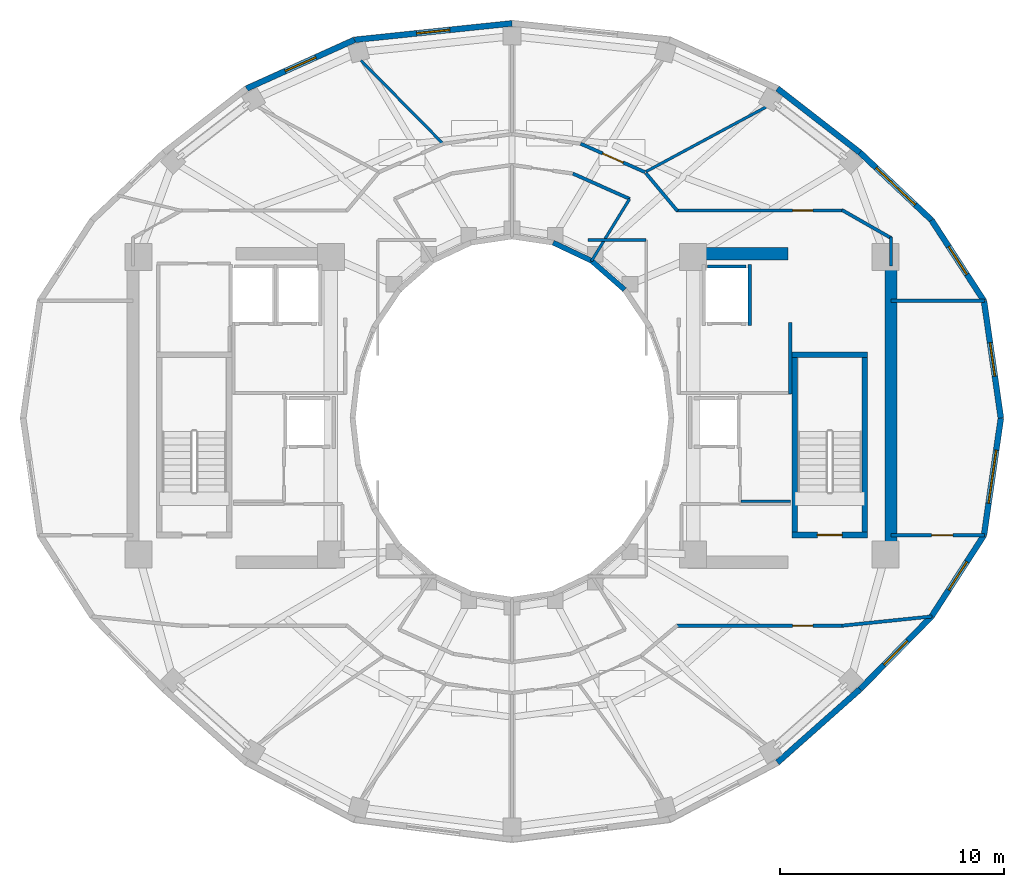
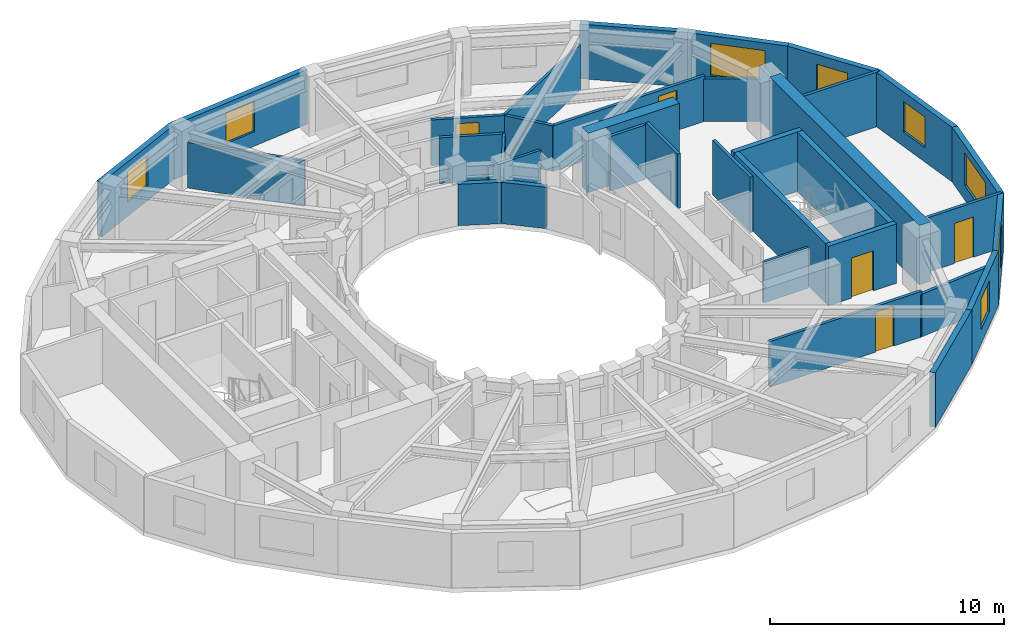
# One storey, part 6 of 9: 36 walls, 8 windows, 5 doors, 13 openings.
"""IFC4 building model written with IfcOpenShell, lengths in metres."""

import ifcopenshell
import ifcopenshell.guid

model = None  # the IFC model being written
_history = None  # IfcOwnerHistory: only IFC2X3 demands one
_inside = {}  # id of a spatial element -> (the spatial element, [elements in it])
_under = {}  # id of a project, library or spatial element -> (it, [spatial elements below it])
_declared = {}  # id of a project -> (the project, [libraries it declares])
_typed = {}  # id of a type object -> (the type object, [elements of that type])
_made_of = {}  # id of a material, layer set ... -> (it, [elements and type objects made of it])


def new_model(schema):
    """Start an empty IFC model of exactly this schema.

    Asked for "IFC4X3", IfcOpenShell would pick the latest addendum, in which some entities
    have other attributes; the version numbers below select the first issue.
    IFC2X3 requires an IfcOwnerHistory on every rooted entity: one is made here for all.
    """
    global model, _history
    if schema == "IFC4X3":
        model = ifcopenshell.file(schema_version=(4, 3, 0, 0))
    else:
        model = ifcopenshell.file(schema=schema)
    _inside.clear()
    _under.clear()
    _declared.clear()
    _typed.clear()
    _made_of.clear()
    _history = None
    if model.schema == "IFC2X3":
        org = make("IfcOrganization", Name="unknown")
        user = make(
            "IfcPersonAndOrganization",
            ThePerson=make("IfcPerson", FamilyName="unknown"),
            TheOrganization=org,
        )
        app = make(
            "IfcApplication",
            ApplicationDeveloper=org,
            Version="unknown",
            ApplicationFullName="unknown",
            ApplicationIdentifier="unknown",
        )
        _history = make(
            "IfcOwnerHistory",
            OwningUser=user,
            OwningApplication=app,
            ChangeAction="ADDED",
            CreationDate=0,
        )
    return model


def make(cls, **values):
    """One entity of the class cls with the attributes given. An attribute that is None is left unset."""
    return model.create_entity(
        cls, **{name: value for name, value in values.items() if value is not None}
    )


def rooted(cls, **values):
    """An entity with a GlobalId (a new one), such as an element, a storey or a relation."""
    return make(cls, GlobalId=ifcopenshell.guid.new(), OwnerHistory=_history, **values)


def si_unit(unit_type, name, prefix=None):
    """IfcSIUnit, for example si_unit("LENGTHUNIT", "METRE", prefix="MILLI")."""
    return make("IfcSIUnit", UnitType=unit_type, Prefix=prefix, Name=name)


def assignment(units):
    """IfcUnitAssignment: the units of a project."""
    return None if units is None else make("IfcUnitAssignment", Units=units)


def point(xyz):
    """IfcCartesianPoint."""
    return None if xyz is None else make("IfcCartesianPoint", Coordinates=xyz)


def direction(xyz):
    """IfcDirection."""
    return None if xyz is None else make("IfcDirection", DirectionRatios=xyz)


def frame(location, z_axis=None, x_axis=None):
    """IfcAxis2Placement3D, a coordinate frame: its origin and axes. An axis left out is left unset."""
    return make(
        "IfcAxis2Placement3D",
        Location=point(location),
        Axis=direction(z_axis),
        RefDirection=direction(x_axis),
    )


def frame_2d(location, x_axis=None):
    """IfcAxis2Placement2D, a coordinate frame in the plane: its origin and x axis."""
    return make(
        "IfcAxis2Placement2D", Location=point(location), RefDirection=direction(x_axis)
    )


def origin():
    """The frame at (0, 0, 0) with its axes left unset."""
    return frame((0.0, 0.0, 0.0))


def place(relative_to, where):
    """IfcLocalPlacement: puts the frame where relative to a parent placement (None: the world)."""
    return make(
        "IfcLocalPlacement", PlacementRelTo=relative_to, RelativePlacement=where
    )


def context(
    kind, dimensions, precision=None, world=None, true_north=None, identifier=None
):
    """IfcGeometricRepresentationContext, for example the 3D "Model" context."""
    return make(
        "IfcGeometricRepresentationContext",
        ContextIdentifier=identifier,
        ContextType=kind,
        CoordinateSpaceDimension=dimensions,
        Precision=precision,
        WorldCoordinateSystem=world,
        TrueNorth=true_north,
    )


def subcontext(parent, identifier, kind, view, scale=None):
    """IfcGeometricRepresentationSubContext, for example "Body" below "Model"."""
    return make(
        "IfcGeometricRepresentationSubContext",
        ContextIdentifier=identifier,
        ContextType=kind,
        ParentContext=parent,
        TargetScale=scale,
        TargetView=view,
    )


def project(units=None, contexts=None):
    """IfcProject with its units and contexts."""
    return rooted(
        "IfcProject",
        Name="project",
        RepresentationContexts=contexts,
        UnitsInContext=assignment(units),
    )


def spatial(cls, under=None, at=None, **own):
    """A site, building, storey or space (cls), placed at a placement, below another one or the project."""
    s = rooted(cls, ObjectPlacement=at, **own)
    if under is not None:
        _under.setdefault(under.id(), (under, []))[1].append(s)
    return s


def profile(cls, at=None, kind="AREA", **sizes):
    """A parametric profile (cls). Its sizes go by their IFC names, for example OverallWidth=200.0."""
    return make(cls, ProfileType=kind, Position=at, **sizes)


def rectangle(**sizes):
    """IfcRectangleProfileDef."""
    return profile("IfcRectangleProfileDef", **sizes)


def extrude(swept, where, along, depth):
    """IfcExtrudedAreaSolid: the profile swept, set in the frame where, extruded along a direction by depth."""
    return make(
        "IfcExtrudedAreaSolid",
        SweptArea=swept,
        Position=where,
        ExtrudedDirection=direction(along),
        Depth=depth,
    )


def shape(context_of_items, identifier, shape_type, items):
    """IfcShapeRepresentation: the items that make up one representation, for example the "Body"."""
    return make(
        "IfcShapeRepresentation",
        ContextOfItems=context_of_items,
        RepresentationIdentifier=identifier,
        RepresentationType=shape_type,
        Items=items,
    )


def material(Name=None, Category=None):
    """IfcMaterial."""
    return make("IfcMaterial", Name=Name, Category=Category)


def layer(
    of_material, thickness, ventilated=None, Name=None, Category=None, Priority=None
):
    """IfcMaterialLayer: one layer of a wall or slab, of a material (None: an air gap)."""
    return make(
        "IfcMaterialLayer",
        Material=of_material,
        LayerThickness=thickness,
        IsVentilated=ventilated,
        Name=Name,
        Category=Category,
        Priority=Priority,
    )


def layer_set(layers, Name=None):
    """IfcMaterialLayerSet."""
    return make("IfcMaterialLayerSet", MaterialLayers=layers, LayerSetName=Name)


def made_of(thing, what):
    """Note that an element or type object is made of a material, layer set ...; save() writes the relation."""
    if what is not None:
        _made_of.setdefault(what.id(), (what, []))[1].append(thing)
    return thing


def type_object(cls, material=None, **own):
    """A type object (cls), such as IfcWallType, which elements share."""
    return made_of(rooted(cls, **own), material)


def element(
    cls,
    number,
    at=None,
    inside=None,
    cuts=None,
    type_object=None,
    material=None,
    context=None,
    identifier="Body",
    shape_type=None,
    held_by="IfcProductDefinitionShape",
    body=None,
    shapes=None,
    **own,
):
    """One element of the class cls, such as IfcWall. Its Tag is "e" and its number.

    at: its placement. inside: the storey or other place that contains it. cuts: it is an
    opening in that element (IfcRelVoidsElement). A single representation is given by context,
    identifier, shape_type and body (its items); several are given by shapes. held_by: the class
    of the entity that holds the representations. save() writes the other relations.
    """
    e = rooted(cls, Tag="e%d" % number, ObjectPlacement=at, **own)
    if body is not None:
        shapes = [shape(context, identifier, shape_type, body)]
    if shapes is not None:
        e.Representation = make(held_by, Representations=shapes)
    if inside is not None:
        _inside.setdefault(inside.id(), (inside, []))[1].append(e)
    if cuts is not None:
        rooted(
            "IfcRelVoidsElement", RelatingBuildingElement=cuts, RelatedOpeningElement=e
        )
    if type_object is not None:
        _typed.setdefault(type_object.id(), (type_object, []))[1].append(e)
    return made_of(e, material)


def fill(opening, filler):
    """IfcRelFillsElement: the door or window that sits in an opening."""
    return rooted(
        "IfcRelFillsElement",
        RelatingOpeningElement=opening,
        RelatedBuildingElement=filler,
    )


def aggregate(whole, parts):
    """IfcRelAggregates: a whole, such as a stair, and the parts it consists of."""
    return rooted("IfcRelAggregates", RelatingObject=whole, RelatedObjects=parts)


def save(model, path):
    """Write the relations noted so far, then the file.

    IfcRelAggregates (storeys below a building ...), IfcRelContainedInSpatialStructure (elements
    in a storey), IfcRelDefinesByType, IfcRelAssociatesMaterial and IfcRelDeclares: one each for
    every whole, place, type object, material and project.
    """
    for whole, parts in _under.values():
        aggregate(whole, parts)
    for where, things in _inside.values():
        rooted(
            "IfcRelContainedInSpatialStructure",
            RelatedElements=things,
            RelatingStructure=where,
        )
    for kind, things in _typed.values():
        rooted("IfcRelDefinesByType", RelatedObjects=things, RelatingType=kind)
    for what, things in _made_of.values():
        rooted("IfcRelAssociatesMaterial", RelatedObjects=things, RelatingMaterial=what)
    for by, libraries in _declared.values():
        rooted("IfcRelDeclares", RelatingContext=by, RelatedDefinitions=libraries)
    model.write(path)


model = new_model("IFC4")

# Units and contexts
model_context = context("Model", 3, precision=1e-05, world=origin(), true_north=direction((0.0, 1.0)))
body_context = subcontext(model_context, "Body", "Model", "MODEL_VIEW")
ifc_project = project(units=[si_unit("LENGTHUNIT", "METRE"), si_unit("AREAUNIT", "SQUARE_METRE"), si_unit("VOLUMEUNIT", "CUBIC_METRE"), si_unit("PLANEANGLEUNIT", "RADIAN"), si_unit("MASSUNIT", "GRAM", prefix="KILO")], contexts=[model_context])

# Site, building, storey
site_placement = place(None, origin())
site = spatial("IfcSite", under=ifc_project, at=site_placement, CompositionType="ELEMENT")
building_placement = place(site_placement, origin())
building = spatial("IfcBuilding", under=site, at=building_placement, Name="Solvane Sanctuary Tower", CompositionType="ELEMENT")
storey_placement = place(building_placement, frame((0.0, 0.0, 229.5)))
storey = spatial("IfcBuildingStorey", under=building, at=storey_placement, Name="L70", CompositionType="ELEMENT", Elevation=229.5)

# Walls
ifc_material_1 = material(Name="Concrete C50/60", Category="concrete")
ifc_layer_1 = layer(ifc_material_1, 0.550048828125, Name="Concrete C50/60")
ifc_layer_set_1 = layer_set([ifc_layer_1], Name="Concrete C50/60")
wall_type_1 = type_object("IfcWallType", Name="Wall W-CORE-550", PredefinedType="SHEAR", material=ifc_layer_set_1)
wall_1_placement = place(storey_placement, frame((48.949951171875, 17.050048828125, 0.0), z_axis=(0.0, 0.0, 1.0), x_axis=(0.0, 1.0, 0.0)))
element("IfcWall", 1, at=wall_1_placement, inside=storey, type_object=wall_type_1, Name="L70 Core Shear Wall EC-E", PredefinedType="SHEAR", context=body_context, shape_type="SweptSolid", body=[
    extrude(rectangle(XDim=12.800048828125, YDim=0.550048828125, at=frame_2d((6.39990234375, 0.0))), origin(), (0.0, 0.0, 1.0), 3.10009765625),
])
wall_2_placement = place(storey_placement, frame((39.85009765625, 30.35009765625, 0.0), z_axis=(0.0, 0.0, 1.0), x_axis=(1.0, 0.0, 0.0)))
element("IfcWall", 2, at=wall_2_placement, inside=storey, type_object=wall_type_1, Name="L70 Core Shear Wall EC-N", PredefinedType="SHEAR", context=body_context, shape_type="SweptSolid", body=[
    extrude(rectangle(XDim=4.5, YDim=0.550048828125, at=frame_2d((2.25, 0.0))), origin(), (0.0, 0.0, 1.0), 3.10009765625),
])
ifc_material_2 = material(Name="Acoustic Gypsum Partition Board")
ifc_layer_2 = layer(ifc_material_2, 0.14990234375, Name="Acoustic Gypsum Partition Board")
ifc_layer_set_2 = layer_set([ifc_layer_2], Name="Acoustic Gypsum Partition Board")
wall_type_2 = type_object("IfcWallType", Name="Wall W-CORR-150", PredefinedType="PARTITIONING", material=ifc_layer_set_2)
wall_3_placement = place(storey_placement, frame((44.449951171875, 24.080078125, 0.0), z_axis=(0.0, 0.0, 1.0), x_axis=(0.0, 1.0, 0.0)))
element("IfcWall", 3, at=wall_3_placement, inside=storey, type_object=wall_type_2, Name="L70 East Firefighting Lobby East Wall", PredefinedType="PARTITIONING", context=body_context, shape_type="SweptSolid", body=[
    extrude(rectangle(XDim=3.199951171875, YDim=0.14990234375, at=frame_2d((1.60009765625, 0.0))), origin(), (0.0, 0.0, 1.0), 2.85498046875),
])
wall_4_placement = place(storey_placement, frame((37.265380859375, 32.797607421875, 0.0), z_axis=(0.0, 0.0, 1.0), x_axis=(-0.913254317828, 0.407389924971, 0.0)))
element("IfcWall", 4, at=wall_4_placement, inside=storey, type_object=wall_type_2, Name="L70 Light-Well Alcove Corridor Wall 1", PredefinedType="PARTITIONING", context=body_context, shape_type="SweptSolid", body=[
    extrude(rectangle(XDim=2.78662109375, YDim=0.14990234375, at=frame_2d((1.393310546875, 0.0))), origin(), (0.0, 0.0, 1.0), 2.3759765625),
])

# Wall, opening, door
wall_5_placement = place(storey_placement, frame((48.949951171875, 17.754638671875, 0.0), z_axis=(0.0, 0.0, 1.0), x_axis=(1.0, 0.0, 0.0)))
wall_5 = element("IfcWall", 5, at=wall_5_placement, inside=storey, type_object=wall_type_2, Name="L70 East Shoulder South Wall", PredefinedType="PARTITIONING", context=body_context, shape_type="SweptSolid", body=[
    extrude(rectangle(XDim=4.174560546875, YDim=0.14990234375, at=frame_2d((2.08740234375, 0.0))), origin(), (0.0, 0.0, 1.0), 2.85498046875),
])
opening_1_placement = place(wall_5_placement, frame((1.817138671875, 0.0, 0.0)))
opening_1 = element("IfcOpeningElement", 6, at=opening_1_placement, cuts=wall_5, Name="Opening D-L70-14", PredefinedType="OPENING", context=body_context, shape_type="SweptSolid", body=[
    extrude(rectangle(XDim=0.949951171875, YDim=2.10009765625, at=frame_2d((0.47509765625, 1.050048828125))), frame((0.0, 0.0849609375, 0.0), z_axis=(0.0, -1.0, 0.0), x_axis=(1.0, 0.0, 0.0)), (0.0, 0.0, 1.0), 0.169921875),
])
ifc_material_3 = material(Name="Engineered Tropical Hardwood", Category="wood")
door_type_1 = type_object("IfcDoorType", Name="Door D-ROOM-950", OperationType="NOTDEFINED", PredefinedType="DOOR", material=ifc_material_3)
door_1_placement = place(opening_1_placement, origin())
door_1 = element("IfcDoor", 7, at=door_1_placement, inside=storey, type_object=door_type_1, Name="L70 East Shoulder South Door", OperationType="SINGLE_SWING_LEFT", OverallHeight=2.10009765625, OverallWidth=0.949951171875, PredefinedType="DOOR", context=body_context, shape_type="SweptSolid", body=[
    extrude(rectangle(XDim=0.949951171875, YDim=2.10009765625, at=frame_2d((0.47509765625, 1.050048828125))), frame((0.0, 0.02490234375, 0.0), z_axis=(0.0, -1.0, 0.0), x_axis=(1.0, 0.0, 0.0)), (0.0, 0.0, 1.0), 0.050048828125),
])
fill(opening_1, door_1)

# Walls
wall_6_placement = place(storey_placement, frame((48.949951171875, 28.245361328125, 0.0), z_axis=(0.0, 0.0, 1.0), x_axis=(1.0, 0.0, 0.0)))
element("IfcWall", 8, at=wall_6_placement, inside=storey, type_object=wall_type_2, Name="L70 East Shoulder North Wall", PredefinedType="PARTITIONING", context=body_context, shape_type="SweptSolid", body=[
    extrude(rectangle(XDim=4.174560546875, YDim=0.14990234375, at=frame_2d((2.08740234375, 0.0))), origin(), (0.0, 0.0, 1.0), 2.85498046875),
])
wall_7_placement = place(storey_placement, frame((48.949951171875, 29.800048828125, 0.0), z_axis=(0.0, 0.0, 1.0), x_axis=(0.0, 1.0, 0.0)))
element("IfcWall", 9, at=wall_7_placement, inside=storey, type_object=wall_type_2, Name="L70 NE Corner Closer 1", PredefinedType="PARTITIONING", context=body_context, shape_type="SweptSolid", body=[
    extrude(rectangle(XDim=1.2900390625, YDim=0.14990234375, at=frame_2d((0.64501953125, 0.0))), origin(), (0.0, 0.0, 1.0), 2.85498046875),
])
wall_8_placement = place(storey_placement, frame((37.984130859375, 33.95458984375, 0.0), z_axis=(0.0, 0.0, 1.0), x_axis=(0.64030392053, -0.76812166312, 0.0)))
element("IfcWall", 10, at=wall_8_placement, inside=storey, type_object=wall_type_2, Name="L70 NE Corner Throat Wall", PredefinedType="PARTITIONING", context=body_context, shape_type="SweptSolid", body=[
    extrude(rectangle(XDim=2.2099609375, YDim=0.14990234375, at=frame_2d((1.10498046875, 0.0))), origin(), (0.0, 0.0, 1.0), 2.3759765625),
])

# Wall, opening, door
wall_9_placement = place(storey_placement, frame((39.330078125, 32.280029296875, 0.0), z_axis=(0.0, 0.0, 1.0), x_axis=(1.0, 0.0, 0.0)))
wall_9 = element("IfcWall", 11, at=wall_9_placement, inside=storey, type_object=wall_type_2, Name="L70 NE Corner Corridor Wall", PredefinedType="PARTITIONING", context=body_context, shape_type="SweptSolid", body=[
    extrude(rectangle(XDim=7.52001953125, YDim=0.14990234375, at=frame_2d((3.760009765625, 0.0))), origin(), (0.0, 0.0, 1.0), 2.3759765625),
])
opening_2_placement = place(wall_9_placement, frame((5.219970703125, 0.0, 0.0)))
opening_2 = element("IfcOpeningElement", 12, at=opening_2_placement, cuts=wall_9, Name="Opening D-L70-16", PredefinedType="OPENING", context=body_context, shape_type="SweptSolid", body=[
    extrude(rectangle(XDim=0.89990234375, YDim=2.10009765625, at=frame_2d((0.449951171875, 1.050048828125))), frame((0.0, 0.0849609375, 0.0), z_axis=(0.0, -1.0, 0.0), x_axis=(1.0, 0.0, 0.0)), (0.0, 0.0, 1.0), 0.169921875),
])
door_type_2 = type_object("IfcDoorType", Name="Door D-WET-900", OperationType="NOTDEFINED", PredefinedType="DOOR", material=ifc_material_3)
door_2_placement = place(opening_2_placement, origin())
door_2 = element("IfcDoor", 13, at=door_2_placement, inside=storey, type_object=door_type_2, Name="L70 NE Corner Salon Door", OperationType="SINGLE_SWING_LEFT", OverallHeight=2.10009765625, OverallWidth=0.89990234375, PredefinedType="DOOR", context=body_context, shape_type="SweptSolid", body=[
    extrude(rectangle(XDim=0.89990234375, YDim=2.10009765625, at=frame_2d((0.449951171875, 1.050048828125))), frame((0.0, 0.02490234375, 0.0), z_axis=(0.0, -1.0, 0.0), x_axis=(1.0, 0.0, 0.0)), (0.0, 0.0, 1.0), 0.050048828125),
])
fill(opening_2, door_2)

# Wall
wall_10_placement = place(storey_placement, frame((46.756591796875, 32.3046875, 0.0), z_axis=(0.0, 0.0, 1.0), x_axis=(0.867991349648, -0.496579315857, 0.0)))
element("IfcWall", 14, at=wall_10_placement, inside=storey, type_object=wall_type_2, Name="L70 NE Corner Wing Wall", PredefinedType="PARTITIONING", context=body_context, shape_type="SweptSolid", body=[
    extrude(rectangle(XDim=2.56689453125, YDim=0.14990234375, at=frame_2d((1.283447265625, 0.0))), origin(), (0.0, 0.0, 1.0), 2.219970703125),
])

# Wall, opening, door
wall_11_placement = place(storey_placement, frame((39.330078125, 13.719970703125, 0.0), z_axis=(0.0, 0.0, 1.0), x_axis=(1.0, 0.0, 0.0)))
wall_11 = element("IfcWall", 15, at=wall_11_placement, inside=storey, type_object=wall_type_2, Name="L70 SE Corner Corridor Wall", PredefinedType="PARTITIONING", context=body_context, shape_type="SweptSolid", body=[
    extrude(rectangle(XDim=7.52001953125, YDim=0.14990234375, at=frame_2d((3.760009765625, 0.0))), origin(), (0.0, 0.0, 1.0), 2.3759765625),
])
opening_3_placement = place(wall_11_placement, frame((5.219970703125, 0.0, 0.0)))
opening_3 = element("IfcOpeningElement", 16, at=opening_3_placement, cuts=wall_11, Name="Opening D-L70-20", PredefinedType="OPENING", context=body_context, shape_type="SweptSolid", body=[
    extrude(rectangle(XDim=0.89990234375, YDim=2.10009765625, at=frame_2d((0.449951171875, 1.050048828125))), frame((0.0, 0.0849609375, 0.0), z_axis=(0.0, -1.0, 0.0), x_axis=(1.0, 0.0, 0.0)), (0.0, 0.0, 1.0), 0.169921875),
])
door_3_placement = place(opening_3_placement, origin())
door_3 = element("IfcDoor", 17, at=door_3_placement, inside=storey, type_object=door_type_2, Name="L70 SE Corner Salon Door", OperationType="SINGLE_SWING_LEFT", OverallHeight=2.10009765625, OverallWidth=0.89990234375, PredefinedType="DOOR", context=body_context, shape_type="SweptSolid", body=[
    extrude(rectangle(XDim=0.89990234375, YDim=2.10009765625, at=frame_2d((0.449951171875, 1.050048828125))), frame((0.0, 0.02490234375, 0.0), z_axis=(0.0, -1.0, 0.0), x_axis=(1.0, 0.0, 0.0)), (0.0, 0.0, 1.0), 0.050048828125),
])
fill(opening_3, door_3)

# Wall
wall_12_placement = place(storey_placement, frame((46.750244140625, 13.71484375, 0.0), z_axis=(0.0, 0.0, 1.0), x_axis=(0.994734711466, 0.102483431859, 0.0)))
element("IfcWall", 18, at=wall_12_placement, inside=storey, type_object=wall_type_2, Name="L70 SE Corner Wing Wall", PredefinedType="PARTITIONING", context=body_context, shape_type="SweptSolid", body=[
    extrude(rectangle(XDim=4.04736328125, YDim=0.14990234375, at=frame_2d((2.023681640625, 0.0))), origin(), (0.0, 0.0, 1.0), 2.219970703125),
])

# Wall, opening, door
wall_13_placement = place(storey_placement, frame((37.956298828125, 33.992431640625, 0.0), z_axis=(0.0, 0.0, 1.0), x_axis=(-0.914642679993, 0.404263240891, 0.0)))
wall_13 = element("IfcWall", 19, at=wall_13_placement, inside=storey, type_object=wall_type_2, Name="L70 Unit Corridor Wall N1", PredefinedType="PARTITIONING", context=body_context, shape_type="SweptSolid", body=[
    extrude(rectangle(XDim=3.154296875, YDim=0.14990234375, at=frame_2d((1.5771484375, 0.0))), origin(), (0.0, 0.0, 1.0), 2.3759765625),
])
opening_4_placement = place(wall_13_placement, frame((1.076904296875, 0.0, 0.0)))
opening_4 = element("IfcOpeningElement", 20, at=opening_4_placement, cuts=wall_13, Name="Opening D-L70-21", PredefinedType="OPENING", context=body_context, shape_type="SweptSolid", body=[
    extrude(rectangle(XDim=1.0, YDim=2.10009765625, at=frame_2d((0.5, 1.050048828125))), frame((0.0, 0.0849609375, 0.0), z_axis=(0.0, -1.0, 0.0), x_axis=(1.0, 0.0, 0.0)), (0.0, 0.0, 1.0), 0.169921875),
])
door_type_3 = type_object("IfcDoorType", Name="Door D-UNIT", OperationType="NOTDEFINED", PredefinedType="DOOR", material=ifc_material_3)
door_4_placement = place(opening_4_placement, origin())
door_4 = element("IfcDoor", 21, at=door_4_placement, inside=storey, type_object=door_type_3, Name="L70 Unit Entrance Door N1", OperationType="SINGLE_SWING_RIGHT", OverallHeight=2.10009765625, OverallWidth=1.0, PredefinedType="DOOR", context=body_context, shape_type="SweptSolid", body=[
    extrude(rectangle(XDim=1.0, YDim=2.10009765625, at=frame_2d((0.5, 1.050048828125))), frame((0.0, 0.02490234375, 0.0), z_axis=(0.0, -1.0, 0.0), x_axis=(1.0, 0.0, 0.0)), (0.0, 0.0, 1.0), 0.050048828125),
])
fill(opening_4, door_4)

# Wall, opening, window
ifc_material_4 = material(Name="Precast concrete C40/50", Category="concrete")
ifc_layer_3 = layer(ifc_material_4, 0.260009765625, Name="Precast concrete C40/50")
ifc_layer_set_3 = layer_set([ifc_layer_3], Name="Precast concrete C40/50")
wall_type_3 = type_object("IfcWallType", Name="Wall W-EXT-250", PredefinedType="STANDARD", material=ifc_layer_set_3)
wall_14_placement = place(storey_placement, frame((53.860107421875, 23.0, 0.0), z_axis=(0.0, 0.0, 1.0), x_axis=(-0.142712754019, 0.989764148593, 0.0)))
wall_14 = element("IfcWall", 22, at=wall_14_placement, inside=storey, type_object=wall_type_3, Name="L70 Ceramic-Printed Facade Wall 00", PredefinedType="STANDARD", context=body_context, shape_type="SweptSolid", body=[
    extrude(rectangle(XDim=5.29296875, YDim=0.260009765625, at=frame_2d((2.646484375, 0.0))), origin(), (0.0, 0.0, 1.0), 2.85009765625),
])
opening_5_placement = place(wall_14_placement, frame((1.896484375, 0.0, 0.75)))
opening_5 = element("IfcOpeningElement", 23, at=opening_5_placement, cuts=wall_14, Name="Opening WN-OPER-1500", PredefinedType="OPENING", context=body_context, shape_type="SweptSolid", body=[
    extrude(rectangle(XDim=1.5, YDim=1.60009765625, at=frame_2d((0.75, 0.800048828125))), frame((0.0, 0.139892578125, 0.0), z_axis=(0.0, -1.0, 0.0), x_axis=(1.0, 0.0, 0.0)), (0.0, 0.0, 1.0), 0.280029296875),
])
ifc_material_5 = material(Name="Dark Ceramic-Fritted Low-E Glass", Category="glass")
window_type_1 = type_object("IfcWindowType", Name="Window WN-OPER-1500", PartitioningType="SINGLE_PANEL", PredefinedType="WINDOW", material=ifc_material_5)
window_1_placement = place(opening_5_placement, origin())
window_1 = element("IfcWindow", 24, at=window_1_placement, inside=storey, type_object=window_type_1, Name="L70 Operable Facade Window 00", OverallHeight=1.60009765625, OverallWidth=1.5, PartitioningType="SINGLE_PANEL", PredefinedType="WINDOW", context=body_context, shape_type="SweptSolid", body=[
    extrude(rectangle(XDim=1.5, YDim=1.60009765625, at=frame_2d((0.75, 0.800048828125))), frame((0.0, 0.030029296875, 0.0), z_axis=(0.0, -1.0, 0.0), x_axis=(1.0, 0.0, 0.0)), (0.0, 0.0, 1.0), 0.06005859375),
])
fill(opening_5, window_1)

wall_15_placement = place(storey_placement, frame((53.104736328125, 28.23876953125, 0.0), z_axis=(0.0, 0.0, 1.0), x_axis=(-0.544475908819, 0.838776480784, 0.0)))
wall_15 = element("IfcWall", 25, at=wall_15_placement, inside=storey, type_object=wall_type_3, Name="L70 Ceramic-Printed Facade Wall 01", PredefinedType="STANDARD", context=body_context, shape_type="SweptSolid", body=[
    extrude(rectangle(XDim=4.3046875, YDim=0.260009765625, at=frame_2d((2.15234375, 0.0))), origin(), (0.0, 0.0, 1.0), 2.85009765625),
])
opening_6_placement = place(wall_15_placement, frame((1.40234375, 0.0, 0.75)))
opening_6 = element("IfcOpeningElement", 26, at=opening_6_placement, cuts=wall_15, Name="Opening WN-OPER-1500", PredefinedType="OPENING", context=body_context, shape_type="SweptSolid", body=[
    extrude(rectangle(XDim=1.5, YDim=1.60009765625, at=frame_2d((0.75, 0.800048828125))), frame((0.0, 0.139892578125, 0.0), z_axis=(0.0, -1.0, 0.0), x_axis=(1.0, 0.0, 0.0)), (0.0, 0.0, 1.0), 0.280029296875),
])
window_2_placement = place(opening_6_placement, origin())
window_2 = element("IfcWindow", 27, at=window_2_placement, inside=storey, type_object=window_type_1, Name="L70 Operable Facade Window 01", OverallHeight=1.60009765625, OverallWidth=1.5, PartitioningType="SINGLE_PANEL", PredefinedType="WINDOW", context=body_context, shape_type="SweptSolid", body=[
    extrude(rectangle(XDim=1.5, YDim=1.60009765625, at=frame_2d((0.75, 0.800048828125))), frame((0.0, 0.030029296875, 0.0), z_axis=(0.0, -1.0, 0.0), x_axis=(1.0, 0.0, 0.0)), (0.0, 0.0, 1.0), 0.06005859375),
])
fill(opening_6, window_2)

wall_16_placement = place(storey_placement, frame((50.760986328125, 31.849365234375, 0.0), z_axis=(0.0, 0.0, 1.0), x_axis=(-0.72731899451, 0.686299555752, 0.0)))
wall_16 = element("IfcWall", 28, at=wall_16_placement, inside=storey, type_object=wall_type_3, Name="L70 Ceramic-Printed Facade Wall 02", PredefinedType="STANDARD", context=body_context, shape_type="SweptSolid", body=[
    extrude(rectangle(XDim=4.404296875, YDim=0.260009765625, at=frame_2d((2.2021484375, 0.0))), origin(), (0.0, 0.0, 1.0), 2.85009765625),
])
opening_7_placement = place(wall_16_placement, frame((1.002197265625, 0.0, 0.75)))
opening_7 = element("IfcOpeningElement", 29, at=opening_7_placement, cuts=wall_16, Name="Opening WN-RIB-2400", PredefinedType="OPENING", context=body_context, shape_type="SweptSolid", body=[
    extrude(rectangle(XDim=2.39990234375, YDim=1.699951171875, at=frame_2d((1.199951171875, 0.85009765625))), frame((0.0, 0.139892578125, 0.0), z_axis=(0.0, -1.0, 0.0), x_axis=(1.0, 0.0, 0.0)), (0.0, 0.0, 1.0), 0.280029296875),
])
window_type_2 = type_object("IfcWindowType", Name="Window WN-RIB-2400", PartitioningType="SINGLE_PANEL", PredefinedType="WINDOW", material=ifc_material_5)
window_3_placement = place(opening_7_placement, origin())
window_3 = element("IfcWindow", 30, at=window_3_placement, inside=storey, type_object=window_type_2, Name="L70 Operable Facade Window 02", OverallHeight=1.699951171875, OverallWidth=2.39990234375, PartitioningType="SINGLE_PANEL", PredefinedType="WINDOW", context=body_context, shape_type="SweptSolid", body=[
    extrude(rectangle(XDim=2.39990234375, YDim=1.699951171875, at=frame_2d((1.199951171875, 0.85009765625))), frame((0.0, 0.030029296875, 0.0), z_axis=(0.0, -1.0, 0.0), x_axis=(1.0, 0.0, 0.0)), (0.0, 0.0, 1.0), 0.06005859375),
])
fill(opening_7, window_3)

# Wall
wall_17_placement = place(storey_placement, frame((47.5576171875, 34.8720703125, 0.0), z_axis=(0.0, 0.0, 1.0), x_axis=(-0.790126214723, 0.612944177563, 0.0)))
element("IfcWall", 31, at=wall_17_placement, inside=storey, type_object=wall_type_3, Name="L70 Ceramic-Printed Facade Wall 03", PredefinedType="STANDARD", context=body_context, shape_type="SweptSolid", body=[
    extrude(rectangle(XDim=4.6669921875, YDim=0.260009765625, at=frame_2d((2.33349609375, 0.0))), origin(), (0.0, 0.0, 1.0), 2.85009765625),
])

# Wall, opening, window
wall_18_placement = place(storey_placement, frame((32.0, 40.64794921875, 0.0), z_axis=(0.0, 0.0, 1.0), x_axis=(-0.994582822721, -0.103947144014, 0.0)))
wall_18 = element("IfcWall", 32, at=wall_18_placement, inside=storey, type_object=wall_type_3, Name="L70 Ceramic-Printed Facade Wall 06", PredefinedType="STANDARD", context=body_context, shape_type="SweptSolid", body=[
    extrude(rectangle(XDim=7.081298828125, YDim=0.260009765625, at=frame_2d((3.54052734375, 0.0))), origin(), (0.0, 0.0, 1.0), 2.85009765625),
])
opening_8_placement = place(wall_18_placement, frame((2.790771484375, 0.0, 0.75)))
opening_8 = element("IfcOpeningElement", 33, at=opening_8_placement, cuts=wall_18, Name="Opening WN-OPER-1500", PredefinedType="OPENING", context=body_context, shape_type="SweptSolid", body=[
    extrude(rectangle(XDim=1.5, YDim=1.60009765625, at=frame_2d((0.75, 0.800048828125))), frame((0.0, 0.139892578125, 0.0), z_axis=(0.0, -1.0, 0.0), x_axis=(1.0, 0.0, 0.0)), (0.0, 0.0, 1.0), 0.280029296875),
])
window_4_placement = place(opening_8_placement, origin())
window_4 = element("IfcWindow", 34, at=window_4_placement, inside=storey, type_object=window_type_1, Name="L70 Operable Facade Window 06", OverallHeight=1.60009765625, OverallWidth=1.5, PartitioningType="SINGLE_PANEL", PredefinedType="WINDOW", context=body_context, shape_type="SweptSolid", body=[
    extrude(rectangle(XDim=1.5, YDim=1.60009765625, at=frame_2d((0.75, 0.800048828125))), frame((0.0, 0.030029296875, 0.0), z_axis=(0.0, -1.0, 0.0), x_axis=(1.0, 0.0, 0.0)), (0.0, 0.0, 1.0), 0.06005859375),
])
fill(opening_8, window_4)

wall_19_placement = place(storey_placement, frame((24.95703125, 39.911865234375, 0.0), z_axis=(0.0, 0.0, 1.0), x_axis=(-0.911427484938, -0.411460738952, 0.0)))
wall_19 = element("IfcWall", 35, at=wall_19_placement, inside=storey, type_object=wall_type_3, Name="L70 Ceramic-Printed Facade Wall 07", PredefinedType="STANDARD", context=body_context, shape_type="SweptSolid", body=[
    extrude(rectangle(XDim=5.296142578125, YDim=0.260009765625, at=frame_2d((2.64794921875, 0.0))), origin(), (0.0, 0.0, 1.0), 2.85009765625),
])
opening_9_placement = place(wall_19_placement, frame((1.898193359375, 0.0, 0.75)))
opening_9 = element("IfcOpeningElement", 36, at=opening_9_placement, cuts=wall_19, Name="Opening WN-OPER-1500", PredefinedType="OPENING", context=body_context, shape_type="SweptSolid", body=[
    extrude(rectangle(XDim=1.5, YDim=1.60009765625, at=frame_2d((0.75, 0.800048828125))), frame((0.0, 0.139892578125, 0.0), z_axis=(0.0, -1.0, 0.0), x_axis=(1.0, 0.0, 0.0)), (0.0, 0.0, 1.0), 0.280029296875),
])
window_5_placement = place(opening_9_placement, origin())
window_5 = element("IfcWindow", 37, at=window_5_placement, inside=storey, type_object=window_type_1, Name="L70 Operable Facade Window 07", OverallHeight=1.60009765625, OverallWidth=1.5, PartitioningType="SINGLE_PANEL", PredefinedType="WINDOW", context=body_context, shape_type="SweptSolid", body=[
    extrude(rectangle(XDim=1.5, YDim=1.60009765625, at=frame_2d((0.75, 0.800048828125))), frame((0.0, 0.030029296875, 0.0), z_axis=(0.0, -1.0, 0.0), x_axis=(1.0, 0.0, 0.0)), (0.0, 0.0, 1.0), 0.06005859375),
])
fill(opening_9, window_5)

# Wall
wall_20_placement = place(storey_placement, frame((43.8701171875, 7.600830078125, 0.0), z_axis=(0.0, 0.0, 1.0), x_axis=(0.748165854006, 0.663511759428, 0.0)))
element("IfcWall", 38, at=wall_20_placement, inside=storey, type_object=wall_type_3, Name="L70 Ceramic-Printed Facade Wall 20", PredefinedType="STANDARD", context=body_context, shape_type="SweptSolid", body=[
    extrude(rectangle(XDim=4.9287109375, YDim=0.260009765625, at=frame_2d((2.46435546875, 0.0))), origin(), (0.0, 0.0, 1.0), 2.85009765625),
])

# Wall, opening, window
wall_21_placement = place(storey_placement, frame((47.5576171875, 10.87109375, 0.0), z_axis=(0.0, 0.0, 1.0), x_axis=(0.700642973333, 0.713512034881, 0.0)))
wall_21 = element("IfcWall", 39, at=wall_21_placement, inside=storey, type_object=wall_type_3, Name="L70 Ceramic-Printed Facade Wall 21", PredefinedType="STANDARD", context=body_context, shape_type="SweptSolid", body=[
    extrude(rectangle(XDim=4.572021484375, YDim=0.260009765625, at=frame_2d((2.2861328125, 0.0))), origin(), (0.0, 0.0, 1.0), 2.85009765625),
])
opening_10_placement = place(wall_21_placement, frame((1.535888671875, 0.0, 0.75)))
opening_10 = element("IfcOpeningElement", 40, at=opening_10_placement, cuts=wall_21, Name="Opening WN-OPER-1500", PredefinedType="OPENING", context=body_context, shape_type="SweptSolid", body=[
    extrude(rectangle(XDim=1.5, YDim=1.60009765625, at=frame_2d((0.75, 0.800048828125))), frame((0.0, 0.139892578125, 0.0), z_axis=(0.0, -1.0, 0.0), x_axis=(1.0, 0.0, 0.0)), (0.0, 0.0, 1.0), 0.280029296875),
])
window_6_placement = place(opening_10_placement, origin())
window_6 = element("IfcWindow", 41, at=window_6_placement, inside=storey, type_object=window_type_1, Name="L70 Operable Facade Window 21", OverallHeight=1.60009765625, OverallWidth=1.5, PartitioningType="SINGLE_PANEL", PredefinedType="WINDOW", context=body_context, shape_type="SweptSolid", body=[
    extrude(rectangle(XDim=1.5, YDim=1.60009765625, at=frame_2d((0.75, 0.800048828125))), frame((0.0, 0.030029296875, 0.0), z_axis=(0.0, -1.0, 0.0), x_axis=(1.0, 0.0, 0.0)), (0.0, 0.0, 1.0), 0.06005859375),
])
fill(opening_10, window_6)

wall_22_placement = place(storey_placement, frame((50.760986328125, 14.13330078125, 0.0), z_axis=(0.0, 0.0, 1.0), x_axis=(0.542641766008, 0.839964233634, 0.0)))
wall_22 = element("IfcWall", 42, at=wall_22_placement, inside=storey, type_object=wall_type_3, Name="L70 Ceramic-Printed Facade Wall 22", PredefinedType="STANDARD", context=body_context, shape_type="SweptSolid", body=[
    extrude(rectangle(XDim=4.319091796875, YDim=0.260009765625, at=frame_2d((2.15966796875, 0.0))), origin(), (0.0, 0.0, 1.0), 2.85009765625),
])
opening_11_placement = place(wall_22_placement, frame((1.40966796875, 0.0, 0.75)))
opening_11 = element("IfcOpeningElement", 43, at=opening_11_placement, cuts=wall_22, Name="Opening WN-OPER-1500", PredefinedType="OPENING", context=body_context, shape_type="SweptSolid", body=[
    extrude(rectangle(XDim=1.5, YDim=1.60009765625, at=frame_2d((0.75, 0.800048828125))), frame((0.0, 0.139892578125, 0.0), z_axis=(0.0, -1.0, 0.0), x_axis=(1.0, 0.0, 0.0)), (0.0, 0.0, 1.0), 0.280029296875),
])
window_7_placement = place(opening_11_placement, origin())
window_7 = element("IfcWindow", 44, at=window_7_placement, inside=storey, type_object=window_type_1, Name="L70 Operable Facade Window 22", OverallHeight=1.60009765625, OverallWidth=1.5, PartitioningType="SINGLE_PANEL", PredefinedType="WINDOW", context=body_context, shape_type="SweptSolid", body=[
    extrude(rectangle(XDim=1.5, YDim=1.60009765625, at=frame_2d((0.75, 0.800048828125))), frame((0.0, 0.030029296875, 0.0), z_axis=(0.0, -1.0, 0.0), x_axis=(1.0, 0.0, 0.0)), (0.0, 0.0, 1.0), 0.06005859375),
])
fill(opening_11, window_7)

wall_23_placement = place(storey_placement, frame((53.104736328125, 17.76123046875, 0.0), z_axis=(0.0, 0.0, 1.0), x_axis=(0.142712754019, 0.989764148593, 0.0)))
wall_23 = element("IfcWall", 45, at=wall_23_placement, inside=storey, type_object=wall_type_3, Name="L70 Ceramic-Printed Facade Wall 23", PredefinedType="STANDARD", context=body_context, shape_type="SweptSolid", body=[
    extrude(rectangle(XDim=5.29296875, YDim=0.260009765625, at=frame_2d((2.646484375, 0.0))), origin(), (0.0, 0.0, 1.0), 2.85009765625),
])
opening_12_placement = place(wall_23_placement, frame((1.446533203125, 0.0, 0.75)))
opening_12 = element("IfcOpeningElement", 46, at=opening_12_placement, cuts=wall_23, Name="Opening WN-RIB-2400", PredefinedType="OPENING", context=body_context, shape_type="SweptSolid", body=[
    extrude(rectangle(XDim=2.39990234375, YDim=1.699951171875, at=frame_2d((1.199951171875, 0.85009765625))), frame((0.0, 0.139892578125, 0.0), z_axis=(0.0, -1.0, 0.0), x_axis=(1.0, 0.0, 0.0)), (0.0, 0.0, 1.0), 0.280029296875),
])
window_8_placement = place(opening_12_placement, origin())
window_8 = element("IfcWindow", 47, at=window_8_placement, inside=storey, type_object=window_type_2, Name="L70 Operable Facade Window 23", OverallHeight=1.699951171875, OverallWidth=2.39990234375, PartitioningType="SINGLE_PANEL", PredefinedType="WINDOW", context=body_context, shape_type="SweptSolid", body=[
    extrude(rectangle(XDim=2.39990234375, YDim=1.699951171875, at=frame_2d((1.199951171875, 0.85009765625))), frame((0.0, 0.030029296875, 0.0), z_axis=(0.0, -1.0, 0.0), x_axis=(1.0, 0.0, 0.0)), (0.0, 0.0, 1.0), 0.06005859375),
])
fill(opening_12, window_8)

# Walls
ifc_layer_4 = layer(ifc_material_4, 0.22998046875, Name="Precast concrete C40/50")
ifc_layer_set_4 = layer_set([ifc_layer_4], Name="Precast concrete C40/50")
wall_type_4 = type_object("IfcWallType", Name="Wall W-EXT-SP220", PredefinedType="STANDARD", material=ifc_layer_set_4)
wall_24_placement = place(storey_placement, frame((37.03466796875, 28.74169921875, 0.0), z_axis=(0.0, 0.0, 1.0), x_axis=(-0.752576694707, 0.658504607869, 0.0)))
element("IfcWall", 48, at=wall_24_placement, inside=storey, type_object=wall_type_4, Name="L70 Central Light-Well Wall 03", PredefinedType="STANDARD", context=body_context, shape_type="SweptSolid", body=[
    extrude(rectangle(XDim=1.95947265625, YDim=0.22998046875, at=frame_2d((0.979736328125, 0.0))), origin(), (0.0, 0.0, 1.0), 2.159912109375),
])
wall_25_placement = place(storey_placement, frame((35.56005859375, 30.031982421875, 0.0), z_axis=(0.0, 0.0, 1.0), x_axis=(-0.904179699603, 0.427152280606, 0.0)))
element("IfcWall", 49, at=wall_25_placement, inside=storey, type_object=wall_type_4, Name="L70 Central Light-Well Wall 04", PredefinedType="STANDARD", context=body_context, shape_type="SweptSolid", body=[
    extrude(rectangle(XDim=1.899169921875, YDim=0.22998046875, at=frame_2d((0.94970703125, 0.0))), origin(), (0.0, 0.0, 1.0), 2.159912109375),
])
ifc_layer_5 = layer(ifc_material_2, 0.125, Name="Acoustic Gypsum Partition Board")
ifc_layer_set_5 = layer_set([ifc_layer_5], Name="Acoustic Gypsum Partition Board")
wall_type_5 = type_object("IfcWallType", Name="Wall W-PART-125", PredefinedType="PARTITIONING", material=ifc_layer_set_5)
wall_26_placement = place(storey_placement, frame((42.239990234375, 19.280029296875, 0.0), z_axis=(0.0, 0.0, 1.0), x_axis=(1.0, 0.0, 0.0)))
element("IfcWall", 50, at=wall_26_placement, inside=storey, type_object=wall_type_5, Name="L70 Reclaimed Room Closer Wall PME-1", PredefinedType="PARTITIONING", context=body_context, shape_type="SweptSolid", body=[
    extrude(rectangle(XDim=2.2099609375, YDim=0.125, at=frame_2d((1.10498046875, 0.0))), origin(), (0.0, 0.0, 1.0), 2.1201171875),
])
wall_27_placement = place(storey_placement, frame((35.550048828125, 30.014892578125, 0.0), z_axis=(0.0, 0.0, 1.0), x_axis=(0.522763432117, 0.852477796802, 0.0)))
element("IfcWall", 51, at=wall_27_placement, inside=storey, type_object=wall_type_5, Name="L70 Light-Well Alcove Radial Wall 60", PredefinedType="PARTITIONING", context=body_context, shape_type="SweptSolid", body=[
    extrude(rectangle(XDim=3.26904296875, YDim=0.125, at=frame_2d((1.634521484375, 0.0))), origin(), (0.0, 0.0, 1.0), 2.3759765625),
])
wall_28_placement = place(storey_placement, frame((35.39990234375, 30.9599609375, 0.0), z_axis=(0.0, 0.0, 1.0), x_axis=(1.0, 0.0, 0.0)))
element("IfcWall", 52, at=wall_28_placement, inside=storey, type_object=wall_type_5, Name="L70 Bridge Alcove Wall 4", PredefinedType="PARTITIONING", context=body_context, shape_type="SweptSolid", body=[
    extrude(rectangle(XDim=2.60009765625, YDim=0.125, at=frame_2d((1.300048828125, 0.0))), origin(), (0.0, 0.0, 1.0), 2.3759765625),
])
wall_29_placement = place(storey_placement, frame((37.997314453125, 34.02294921875, 0.0), z_axis=(0.0, 0.0, 1.0), x_axis=(0.880531534665, 0.473987569943, 0.0)))
element("IfcWall", 53, at=wall_29_placement, inside=storey, type_object=wall_type_5, Name="L70 Radial Compartment Wall 060", PredefinedType="PARTITIONING", context=body_context, shape_type="SweptSolid", body=[
    extrude(rectangle(XDim=6.095947265625, YDim=0.125, at=frame_2d((3.0478515625, 0.0))), origin(), (0.0, 0.0, 1.0), 2.3759765625),
])
wall_30_placement = place(storey_placement, frame((28.882080078125, 35.304443359375, 0.0), z_axis=(0.0, 0.0, 1.0), x_axis=(-0.702191571271, 0.711988059756, 0.0)))
element("IfcWall", 54, at=wall_30_placement, inside=storey, type_object=wall_type_5, Name="L70 Radial Compartment Wall 105", PredefinedType="PARTITIONING", context=body_context, shape_type="SweptSolid", body=[
    extrude(rectangle(XDim=5.18359375, YDim=0.125, at=frame_2d((2.591796875, 0.0))), origin(), (0.0, 0.0, 1.0), 2.3759765625),
])
ifc_layer_6 = layer(ifc_material_1, 0.14990234375, Name="Concrete C50/60")
ifc_layer_set_6 = layer_set([ifc_layer_6], Name="Concrete C50/60")
wall_type_6 = type_object("IfcWallType", Name="Wall W-SHAFT-150", PredefinedType="SOLIDWALL", material=ifc_layer_set_6)
wall_31_placement = place(storey_placement, frame((40.739990234375, 29.780029296875, 0.0), z_axis=(0.0, 0.0, 1.0), x_axis=(1.0, 0.0, 0.0)))
element("IfcWall", 55, at=wall_31_placement, inside=storey, type_object=wall_type_6, Name="L70 FFL-2 Lift Shaft Wall B", PredefinedType="SOLIDWALL", context=body_context, shape_type="SweptSolid", body=[
    extrude(rectangle(XDim=1.719970703125, YDim=0.14990234375, at=frame_2d((0.85986328125, 0.0))), origin(), (0.0, 0.0, 1.0), 2.85498046875),
])
wall_32_placement = place(storey_placement, frame((42.6298828125, 27.139892578125, 0.0), z_axis=(0.0, 0.0, 1.0), x_axis=(0.0, 1.0, 0.0)))
element("IfcWall", 56, at=wall_32_placement, inside=storey, type_object=wall_type_6, Name="L70 FFL-2 Lift Shaft Wall S2", PredefinedType="SOLIDWALL", context=body_context, shape_type="SweptSolid", body=[
    extrude(rectangle(XDim=2.72021484375, YDim=0.14990234375, at=frame_2d((1.360107421875, 0.0))), origin(), (0.0, 0.0, 1.0), 2.85498046875),
])

# Wall, opening, door
ifc_layer_7 = layer(ifc_material_1, 0.25, Name="Concrete C50/60")
ifc_layer_set_7 = layer_set([ifc_layer_7], Name="Concrete C50/60")
wall_type_7 = type_object("IfcWallType", Name="Wall W-SHAFT-250", PredefinedType="SOLIDWALL", material=ifc_layer_set_7)
wall_33_placement = place(storey_placement, frame((44.52490234375, 17.77001953125, 0.0), z_axis=(0.0, 0.0, 1.0), x_axis=(1.0, 0.0, 0.0)))
wall_33 = element("IfcWall", 57, at=wall_33_placement, inside=storey, type_object=wall_type_7, Name="L70 ST-2 Load-Bearing Shaft Wall S", PredefinedType="SOLIDWALL", context=body_context, shape_type="SweptSolid", body=[
    extrude(rectangle(XDim=3.3701171875, YDim=0.25, at=frame_2d((1.68505859375, 0.0))), origin(), (0.0, 0.0, 1.0), 3.10009765625),
])
opening_13_placement = place(wall_33_placement, frame((1.135009765625, 0.0, 0.0)))
opening_13 = element("IfcOpeningElement", 58, at=opening_13_placement, cuts=wall_33, Name="Opening D-L70-02", PredefinedType="OPENING", context=body_context, shape_type="SweptSolid", body=[
    extrude(rectangle(XDim=1.10009765625, YDim=2.10009765625, at=frame_2d((0.550048828125, 1.050048828125))), frame((0.0, 0.135009765625, 0.0), z_axis=(0.0, -1.0, 0.0), x_axis=(1.0, 0.0, 0.0)), (0.0, 0.0, 1.0), 0.27001953125),
])
ifc_material_6 = material(Name="Architectural Stainless Steel 316", Category="steel")
door_type_4 = type_object("IfcDoorType", Name="Door D-STAIR", OperationType="NOTDEFINED", PredefinedType="DOOR", material=ifc_material_6)
door_5_placement = place(opening_13_placement, origin())
door_5 = element("IfcDoor", 59, at=door_5_placement, inside=storey, type_object=door_type_4, Name="L70 ST-2 Exit Stair Fire Door", OperationType="SINGLE_SWING_RIGHT", OverallHeight=2.10009765625, OverallWidth=1.10009765625, PredefinedType="DOOR", context=body_context, shape_type="SweptSolid", body=[
    extrude(rectangle(XDim=1.10009765625, YDim=2.10009765625, at=frame_2d((0.550048828125, 1.050048828125))), frame((0.0, 0.02490234375, 0.0), z_axis=(0.0, -1.0, 0.0), x_axis=(1.0, 0.0, 0.0)), (0.0, 0.0, 1.0), 0.050048828125),
])
fill(opening_13, door_5)

# Walls
wall_34_placement = place(storey_placement, frame((44.52490234375, 25.830078125, 0.0), z_axis=(0.0, 0.0, 1.0), x_axis=(1.0, 0.0, 0.0)))
element("IfcWall", 60, at=wall_34_placement, inside=storey, type_object=wall_type_7, Name="L70 ST-2 Load-Bearing Shaft Wall N", PredefinedType="SOLIDWALL", context=body_context, shape_type="SweptSolid", body=[
    extrude(rectangle(XDim=3.3701171875, YDim=0.25, at=frame_2d((1.68505859375, 0.0))), origin(), (0.0, 0.0, 1.0), 3.10009765625),
])
for number, where, z_axis, x_axis, name in (
    (61, (44.64990234375, 17.89501953125, 0.0), (0.0, 0.0, 1.0), (0.0, 1.0, 0.0), "L70 ST-2 Load-Bearing Shaft Wall W"),
    (62, (47.77001953125, 17.89501953125, 0.0), (0.0, 0.0, 1.0), (0.0, 1.0, 0.0), "L70 ST-2 Load-Bearing Shaft Wall E"),
):
    element("IfcWall", number, at=place(storey_placement, frame(where, z_axis=z_axis, x_axis=x_axis)), inside=storey, type_object=wall_type_7, Name=name, PredefinedType="SOLIDWALL", context=body_context, shape_type="SweptSolid", body=[
        extrude(rectangle(XDim=7.81005859375, YDim=0.25, at=frame_2d((3.905029296875, 0.0))), origin(), (0.0, 0.0, 1.0), 3.10009765625),
    ])

save(model, "model.ifc")
